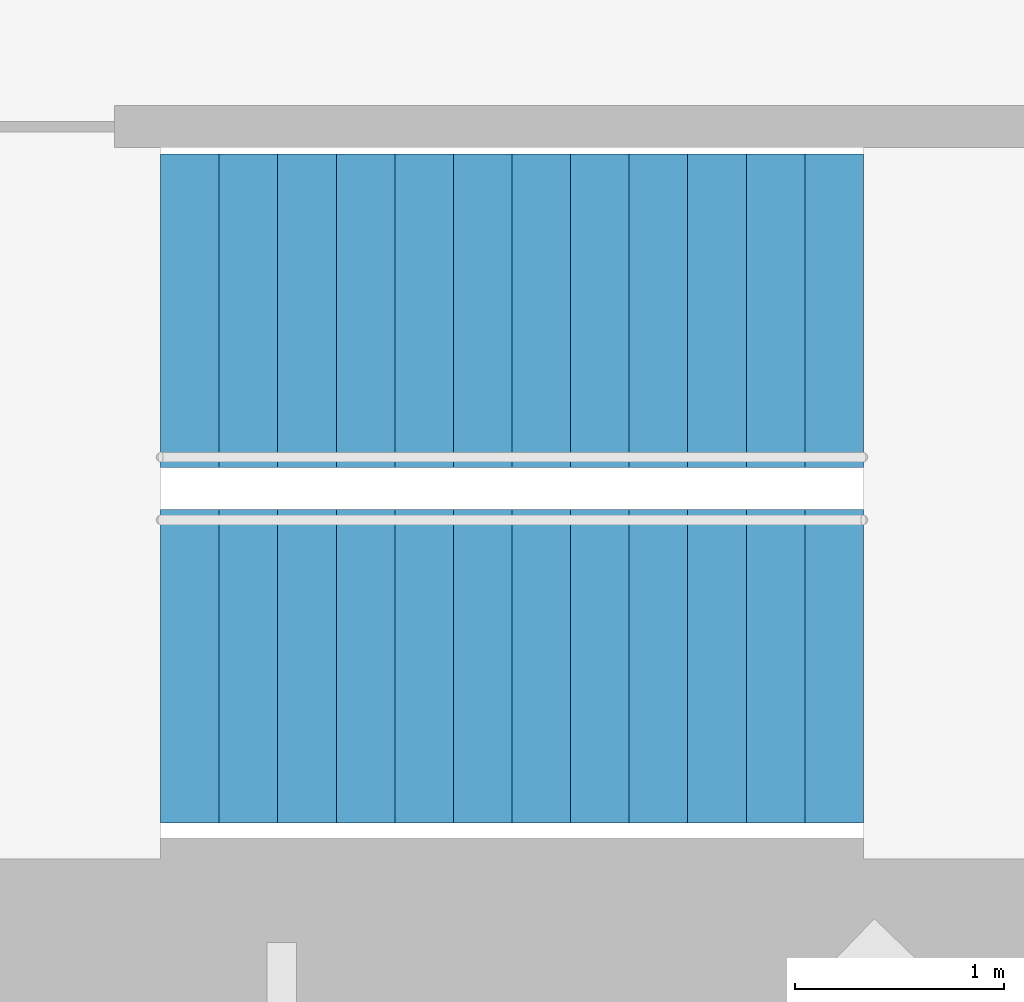
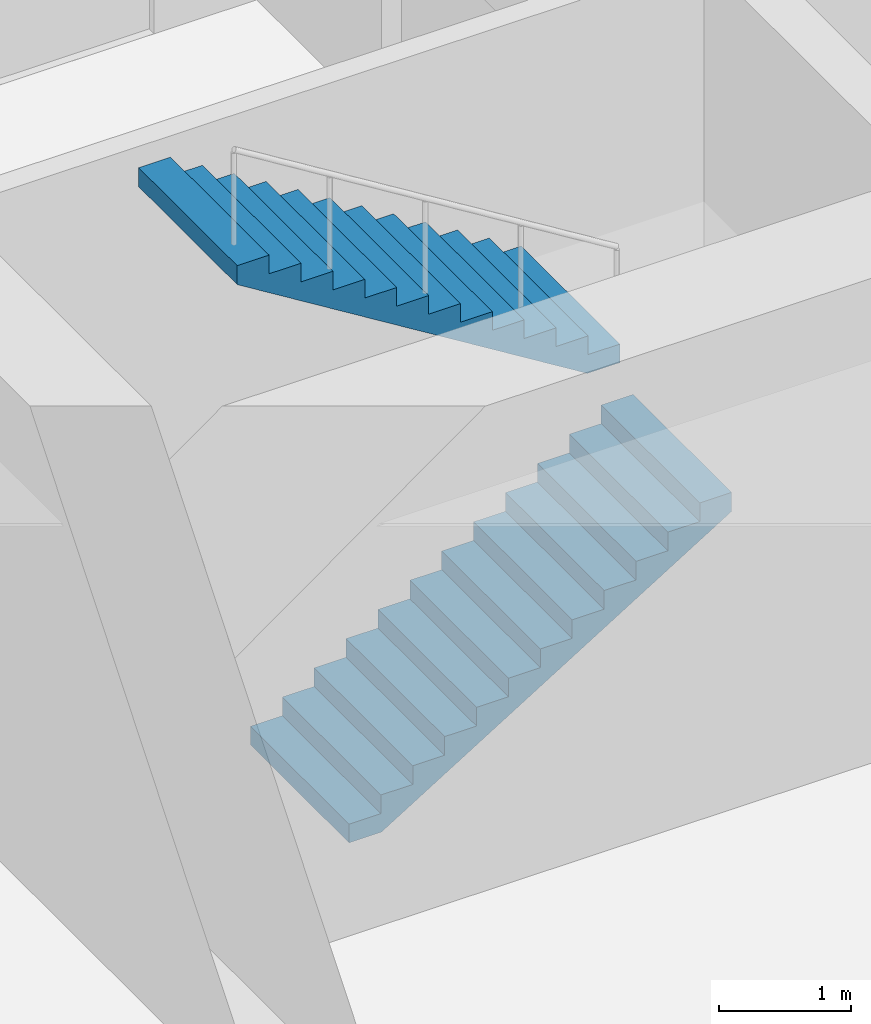
# One storey, part 13 of 15: 2 stair flights, 1 element without a shape of its own.
"""IFC4 building model written with IfcOpenShell, lengths in metres."""

import ifcopenshell
import ifcopenshell.guid

model = None  # the IFC model being written
_history = None  # IfcOwnerHistory: only IFC2X3 demands one
_inside = {}  # id of a spatial element -> (the spatial element, [elements in it])
_under = {}  # id of a project, library or spatial element -> (it, [spatial elements below it])
_declared = {}  # id of a project -> (the project, [libraries it declares])
_typed = {}  # id of a type object -> (the type object, [elements of that type])
_made_of = {}  # id of a material, layer set ... -> (it, [elements and type objects made of it])


def new_model(schema):
    """Start an empty IFC model of exactly this schema.

    Asked for "IFC4X3", IfcOpenShell would pick the latest addendum, in which some entities
    have other attributes; the version numbers below select the first issue.
    IFC2X3 requires an IfcOwnerHistory on every rooted entity: one is made here for all.
    """
    global model, _history
    if schema == "IFC4X3":
        model = ifcopenshell.file(schema_version=(4, 3, 0, 0))
    else:
        model = ifcopenshell.file(schema=schema)
    _inside.clear()
    _under.clear()
    _declared.clear()
    _typed.clear()
    _made_of.clear()
    _history = None
    if model.schema == "IFC2X3":
        org = make("IfcOrganization", Name="unknown")
        user = make(
            "IfcPersonAndOrganization",
            ThePerson=make("IfcPerson", FamilyName="unknown"),
            TheOrganization=org,
        )
        app = make(
            "IfcApplication",
            ApplicationDeveloper=org,
            Version="unknown",
            ApplicationFullName="unknown",
            ApplicationIdentifier="unknown",
        )
        _history = make(
            "IfcOwnerHistory",
            OwningUser=user,
            OwningApplication=app,
            ChangeAction="ADDED",
            CreationDate=0,
        )
    return model


def make(cls, **values):
    """One entity of the class cls with the attributes given. An attribute that is None is left unset."""
    return model.create_entity(
        cls, **{name: value for name, value in values.items() if value is not None}
    )


def rooted(cls, **values):
    """An entity with a GlobalId (a new one), such as an element, a storey or a relation."""
    return make(cls, GlobalId=ifcopenshell.guid.new(), OwnerHistory=_history, **values)


def si_unit(unit_type, name, prefix=None):
    """IfcSIUnit, for example si_unit("LENGTHUNIT", "METRE", prefix="MILLI")."""
    return make("IfcSIUnit", UnitType=unit_type, Prefix=prefix, Name=name)


def assignment(units):
    """IfcUnitAssignment: the units of a project."""
    return None if units is None else make("IfcUnitAssignment", Units=units)


def point(xyz):
    """IfcCartesianPoint."""
    return None if xyz is None else make("IfcCartesianPoint", Coordinates=xyz)


def direction(xyz):
    """IfcDirection."""
    return None if xyz is None else make("IfcDirection", DirectionRatios=xyz)


def frame(location, z_axis=None, x_axis=None):
    """IfcAxis2Placement3D, a coordinate frame: its origin and axes. An axis left out is left unset."""
    return make(
        "IfcAxis2Placement3D",
        Location=point(location),
        Axis=direction(z_axis),
        RefDirection=direction(x_axis),
    )


def origin():
    """The frame at (0, 0, 0) with its axes left unset."""
    return frame((0.0, 0.0, 0.0))


def place(relative_to, where):
    """IfcLocalPlacement: puts the frame where relative to a parent placement (None: the world)."""
    return make(
        "IfcLocalPlacement", PlacementRelTo=relative_to, RelativePlacement=where
    )


def context(
    kind, dimensions, precision=None, world=None, true_north=None, identifier=None
):
    """IfcGeometricRepresentationContext, for example the 3D "Model" context."""
    return make(
        "IfcGeometricRepresentationContext",
        ContextIdentifier=identifier,
        ContextType=kind,
        CoordinateSpaceDimension=dimensions,
        Precision=precision,
        WorldCoordinateSystem=world,
        TrueNorth=true_north,
    )


def subcontext(parent, identifier, kind, view, scale=None):
    """IfcGeometricRepresentationSubContext, for example "Body" below "Model"."""
    return make(
        "IfcGeometricRepresentationSubContext",
        ContextIdentifier=identifier,
        ContextType=kind,
        ParentContext=parent,
        TargetScale=scale,
        TargetView=view,
    )


def project(units=None, contexts=None):
    """IfcProject with its units and contexts."""
    return rooted(
        "IfcProject",
        Name="project",
        RepresentationContexts=contexts,
        UnitsInContext=assignment(units),
    )


def spatial(cls, under=None, at=None, **own):
    """A site, building, storey or space (cls), placed at a placement, below another one or the project."""
    s = rooted(cls, ObjectPlacement=at, **own)
    if under is not None:
        _under.setdefault(under.id(), (under, []))[1].append(s)
    return s


def point_list(points):
    """IfcCartesianPointList2D or 3D."""
    cls = (
        "IfcCartesianPointList2D" if len(points[0]) == 2 else "IfcCartesianPointList3D"
    )
    return make(cls, CoordList=points)


def triangles(points, corners, closed=None, point_numbers=None):
    """IfcTriangulatedFaceSet: each triangle names its three corners, points numbered from 1."""
    return make(
        "IfcTriangulatedFaceSet",
        Coordinates=point_list(points),
        Closed=closed,
        CoordIndex=corners,
        PnIndex=point_numbers,
    )


def shape(context_of_items, identifier, shape_type, items):
    """IfcShapeRepresentation: the items that make up one representation, for example the "Body"."""
    return make(
        "IfcShapeRepresentation",
        ContextOfItems=context_of_items,
        RepresentationIdentifier=identifier,
        RepresentationType=shape_type,
        Items=items,
    )


def material(Name=None, Category=None):
    """IfcMaterial."""
    return make("IfcMaterial", Name=Name, Category=Category)


def made_of(thing, what):
    """Note that an element or type object is made of a material, layer set ...; save() writes the relation."""
    if what is not None:
        _made_of.setdefault(what.id(), (what, []))[1].append(thing)
    return thing


def type_object(cls, material=None, **own):
    """A type object (cls), such as IfcWallType, which elements share."""
    return made_of(rooted(cls, **own), material)


def element(
    cls,
    number,
    at=None,
    inside=None,
    cuts=None,
    type_object=None,
    material=None,
    context=None,
    identifier="Body",
    shape_type=None,
    held_by="IfcProductDefinitionShape",
    body=None,
    shapes=None,
    **own,
):
    """One element of the class cls, such as IfcWall. Its Tag is "e" and its number.

    at: its placement. inside: the storey or other place that contains it. cuts: it is an
    opening in that element (IfcRelVoidsElement). A single representation is given by context,
    identifier, shape_type and body (its items); several are given by shapes. held_by: the class
    of the entity that holds the representations. save() writes the other relations.
    """
    e = rooted(cls, Tag="e%d" % number, ObjectPlacement=at, **own)
    if body is not None:
        shapes = [shape(context, identifier, shape_type, body)]
    if shapes is not None:
        e.Representation = make(held_by, Representations=shapes)
    if inside is not None:
        _inside.setdefault(inside.id(), (inside, []))[1].append(e)
    if cuts is not None:
        rooted(
            "IfcRelVoidsElement", RelatingBuildingElement=cuts, RelatedOpeningElement=e
        )
    if type_object is not None:
        _typed.setdefault(type_object.id(), (type_object, []))[1].append(e)
    return made_of(e, material)


def aggregate(whole, parts):
    """IfcRelAggregates: a whole, such as a stair, and the parts it consists of."""
    return rooted("IfcRelAggregates", RelatingObject=whole, RelatedObjects=parts)


def save(model, path):
    """Write the relations noted so far, then the file.

    IfcRelAggregates (storeys below a building ...), IfcRelContainedInSpatialStructure (elements
    in a storey), IfcRelDefinesByType, IfcRelAssociatesMaterial and IfcRelDeclares: one each for
    every whole, place, type object, material and project.
    """
    for whole, parts in _under.values():
        aggregate(whole, parts)
    for where, things in _inside.values():
        rooted(
            "IfcRelContainedInSpatialStructure",
            RelatedElements=things,
            RelatingStructure=where,
        )
    for kind, things in _typed.values():
        rooted("IfcRelDefinesByType", RelatedObjects=things, RelatingType=kind)
    for what, things in _made_of.values():
        rooted("IfcRelAssociatesMaterial", RelatedObjects=things, RelatingMaterial=what)
    for by, libraries in _declared.values():
        rooted("IfcRelDeclares", RelatingContext=by, RelatedDefinitions=libraries)
    model.write(path)


model = new_model("IFC4")

# Units and contexts
model_context = context("Model", 3, precision=1e-05, world=origin(), true_north=direction((0.0, 1.0)))
body_context = subcontext(model_context, "Body", "Model", "MODEL_VIEW")
ifc_project = project(units=[si_unit("LENGTHUNIT", "METRE"), si_unit("AREAUNIT", "SQUARE_METRE"), si_unit("VOLUMEUNIT", "CUBIC_METRE"), si_unit("PLANEANGLEUNIT", "RADIAN"), si_unit("MASSUNIT", "GRAM", prefix="KILO")], contexts=[model_context])

# Site, building, storey
site_placement = place(None, origin())
site = spatial("IfcSite", under=ifc_project, at=site_placement, CompositionType="ELEMENT")
building_placement = place(site_placement, origin())
building = spatial("IfcBuilding", under=site, at=building_placement, Name="Lantaw Convention Tower", CompositionType="ELEMENT")
storey_placement = place(building_placement, frame((0.0, 0.0, 274.89990234375)))
storey = spatial("IfcBuildingStorey", under=building, at=storey_placement, Name="L64", CompositionType="ELEMENT", Elevation=274.89990234375)

# Stair, stair flights
ifc_material = material(Name="Concrete C35/45", Category="concrete")
stair_type = type_object("IfcStairType", Name="Exit stair 1500 riser 173.08 in 2 flights", PredefinedType="HALF_TURN_STAIR", material=ifc_material)
stair_placement = place(storey_placement, origin())
stair = element("IfcStair", 1, at=stair_placement, inside=storey, type_object=stair_type, Name="Exit stair S1 L64", PredefinedType="HALF_TURN_STAIR")
stair_flight_type = type_object("IfcStairFlightType", Name="Stair flight 1500 riser 173.08", PredefinedType="STRAIGHT", material=ifc_material)
stair_flight_1_placement = place(storey_placement, frame((-10.580078125, -5.97998046875, 0.0), z_axis=(0.0, 0.0, 1.0), x_axis=(1.0, 0.0, 0.0)))
stair_flight_1 = element("IfcStairFlight", 2, at=stair_flight_1_placement, type_object=stair_flight_type, Name="S1 flight 1", NumberOfRisers=13, NumberOfTreads=12, PredefinedType="STRAIGHT", RiserHeight=0.173076923, TreadLength=0.28, context=body_context, shape_type="Tessellation", body=[
    triangles([(0.0, 0.75, 0.0), (0.0, 0.75, 0.173076923), (0.28, 0.75, 0.0), (0.28, 0.75, 0.173076923), (0.28, 0.75, 0.346153846), (0.28509853184261624, 0.75, 0.0), (0.28509853184261624, 0.75, 0.346153846), (0.56, 0.75, 0.16992535798879452), (0.56, 0.75, 0.346153846), (0.56, 0.75, 0.519230769), (0.8400000000000001, 0.75, 0.34300228098879454), (0.8400000000000001, 0.75, 0.519230769), (0.8400000000000001, 0.75, 0.692307692), (1.12, 0.75, 0.5160792039887945), (1.12, 0.75, 0.692307692), (1.12, 0.75, 0.865384615), (1.4000000000000001, 0.75, 0.6891561269887945), (1.4000000000000001, 0.75, 0.865384615), (1.4000000000000001, 0.75, 1.038461538), (1.6800000000000002, 0.75, 0.8622330499887946), (1.6800000000000002, 0.75, 1.038461538), (1.6800000000000002, 0.75, 1.211538461), (1.9600000000000002, 0.75, 1.0353099729887945), (1.9600000000000002, 0.75, 1.211538461), (1.9600000000000002, 0.75, 1.384615384), (2.24, 0.75, 1.2083868959887945), (2.24, 0.75, 1.384615384), (2.24, 0.75, 1.557692307), (2.5200000000000005, 0.75, 1.3814638189887947), (2.5200000000000005, 0.75, 1.557692307), (2.5200000000000005, 0.75, 1.73076923), (2.8000000000000003, 0.75, 1.5545407419887944), (2.8000000000000003, 0.75, 1.73076923), (2.8000000000000003, 0.75, 1.903846153), (3.08, 0.75, 1.7276176649887944), (3.08, 0.75, 1.903846153), (3.08, 0.75, 2.076923076), (3.3600000000000003, 0.75, 1.9006945879887944), (3.3600000000000003, 0.75, 2.076923076), (0.0, -0.75, 0.0), (0.0, -0.75, 0.173076923), (0.28, -0.75, 0.0), (0.28, -0.75, 0.173076923), (0.28, -0.75, 0.346153846), (0.28509853184261624, -0.75, 0.0), (0.28509853184261624, -0.75, 0.346153846), (0.56, -0.75, 0.16992535798879452), (0.56, -0.75, 0.346153846), (0.56, -0.75, 0.519230769), (0.8400000000000001, -0.75, 0.34300228098879454), (0.8400000000000001, -0.75, 0.519230769), (0.8400000000000001, -0.75, 0.692307692), (1.12, -0.75, 0.5160792039887945), (1.12, -0.75, 0.692307692), (1.12, -0.75, 0.865384615), (1.4000000000000001, -0.75, 0.6891561269887945), (1.4000000000000001, -0.75, 0.865384615), (1.4000000000000001, -0.75, 1.038461538), (1.6800000000000002, -0.75, 0.8622330499887946), (1.6800000000000002, -0.75, 1.038461538), (1.6800000000000002, -0.75, 1.211538461), (1.9600000000000002, -0.75, 1.0353099729887945), (1.9600000000000002, -0.75, 1.211538461), (1.9600000000000002, -0.75, 1.384615384), (2.24, -0.75, 1.2083868959887945), (2.24, -0.75, 1.384615384), (2.24, -0.75, 1.557692307), (2.5200000000000005, -0.75, 1.3814638189887947), (2.5200000000000005, -0.75, 1.557692307), (2.5200000000000005, -0.75, 1.73076923), (2.8000000000000003, -0.75, 1.5545407419887944), (2.8000000000000003, -0.75, 1.73076923), (2.8000000000000003, -0.75, 1.903846153), (3.08, -0.75, 1.7276176649887944), (3.08, -0.75, 1.903846153), (3.08, -0.75, 2.076923076), (3.3600000000000003, -0.75, 1.9006945879887944), (3.3600000000000003, -0.75, 2.076923076), (0.0, 0.15000000000000002, 0.173076923), (0.0, 0.15000000000000002, 0.0), (0.0, 0.0, 0.173076923), (0.0, 0.0, 0.0), (0.0, -0.15000000000000002, 0.173076923), (0.0, -0.15000000000000002, 0.0), (0.28, 0.15000000000000002, 0.346153846), (0.28, 0.15000000000000002, 0.173076923), (0.28, 0.0, 0.346153846), (0.28, 0.0, 0.173076923), (0.28, -0.15000000000000002, 0.346153846), (0.28, -0.15000000000000002, 0.173076923), (0.56, 0.15000000000000002, 0.519230769), (0.56, 0.15000000000000002, 0.346153846), (0.56, 0.0, 0.519230769), (0.56, 0.0, 0.346153846), (0.56, -0.15000000000000002, 0.519230769), (0.56, -0.15000000000000002, 0.346153846), (0.8400000000000001, 0.15000000000000002, 0.692307692), (0.8400000000000001, 0.15000000000000002, 0.519230769), (0.8400000000000001, 0.0, 0.692307692), (0.8400000000000001, 0.0, 0.519230769), (0.8400000000000001, -0.15000000000000002, 0.692307692), (0.8400000000000001, -0.15000000000000002, 0.519230769), (1.12, 0.15000000000000002, 0.865384615), (1.12, 0.15000000000000002, 0.692307692), (1.12, 0.0, 0.865384615), (1.12, 0.0, 0.692307692), (1.12, -0.15000000000000002, 0.865384615), (1.12, -0.15000000000000002, 0.692307692), (1.4000000000000001, 0.15000000000000002, 1.038461538), (1.4000000000000001, 0.15000000000000002, 0.865384615), (1.4000000000000001, 0.0, 1.038461538), (1.4000000000000001, 0.0, 0.865384615), (1.4000000000000001, -0.15000000000000002, 1.038461538), (1.4000000000000001, -0.15000000000000002, 0.865384615), (1.6800000000000002, 0.15000000000000002, 1.211538461), (1.6800000000000002, 0.15000000000000002, 1.038461538), (1.6800000000000002, 0.0, 1.211538461), (1.6800000000000002, 0.0, 1.038461538), (1.6800000000000002, -0.15000000000000002, 1.211538461), (1.6800000000000002, -0.15000000000000002, 1.038461538), (1.9600000000000002, 0.15000000000000002, 1.384615384), (1.9600000000000002, 0.15000000000000002, 1.211538461), (1.9600000000000002, 0.0, 1.384615384), (1.9600000000000002, 0.0, 1.211538461), (1.9600000000000002, -0.15000000000000002, 1.384615384), (1.9600000000000002, -0.15000000000000002, 1.211538461), (2.24, 0.15000000000000002, 1.557692307), (2.24, 0.15000000000000002, 1.384615384), (2.24, 0.0, 1.557692307), (2.24, 0.0, 1.384615384), (2.24, -0.15000000000000002, 1.557692307), (2.24, -0.15000000000000002, 1.384615384), (2.5200000000000005, 0.15000000000000002, 1.73076923), (2.5200000000000005, 0.15000000000000002, 1.557692307), (2.5200000000000005, 0.0, 1.73076923), (2.5200000000000005, 0.0, 1.557692307), (2.5200000000000005, -0.15000000000000002, 1.73076923), (2.5200000000000005, -0.15000000000000002, 1.557692307), (2.8000000000000003, 0.15000000000000002, 1.903846153), (2.8000000000000003, 0.15000000000000002, 1.73076923), (2.8000000000000003, 0.0, 1.903846153), (2.8000000000000003, 0.0, 1.73076923), (2.8000000000000003, -0.15000000000000002, 1.903846153), (2.8000000000000003, -0.15000000000000002, 1.73076923), (3.08, 0.15000000000000002, 2.076923076), (3.08, 0.15000000000000002, 1.903846153), (3.08, 0.0, 2.076923076), (3.08, 0.0, 1.903846153), (3.08, -0.15000000000000002, 2.076923076), (3.08, -0.15000000000000002, 1.903846153), (0.28509853184261624, 0.15000000000000002, 0.346153846), (0.28509853184261624, 0.0, 0.346153846), (0.28509853184261624, -0.15000000000000002, 0.346153846), (3.3600000000000003, 0.15000000000000002, 2.076923076), (3.3600000000000003, 0.0, 2.076923076), (3.3600000000000003, -0.15000000000000002, 2.076923076), (3.3600000000000003, 0.15000000000000002, 1.9006945879887942), (3.3600000000000003, 0.0, 1.9006945879887942), (3.3600000000000003, -0.15000000000000002, 1.9006945879887942), (3.08, 0.15000000000000002, 1.7276176649887944), (3.08, 0.0, 1.7276176649887944), (3.08, -0.15000000000000002, 1.7276176649887944), (2.8000000000000003, 0.15000000000000002, 1.5545407419887944), (2.8000000000000003, 0.0, 1.5545407419887944), (2.8000000000000003, -0.15000000000000002, 1.5545407419887944), (2.5200000000000005, 0.15000000000000002, 1.3814638189887947), (2.5200000000000005, 0.0, 1.3814638189887947), (2.5200000000000005, -0.15000000000000002, 1.3814638189887947), (2.24, 0.15000000000000002, 1.2083868959887945), (2.24, 0.0, 1.2083868959887945), (2.24, -0.15000000000000002, 1.2083868959887945), (1.9600000000000002, 0.15000000000000002, 1.0353099729887945), (1.9600000000000002, 0.0, 1.0353099729887945), (1.9600000000000002, -0.15000000000000002, 1.0353099729887945), (1.6800000000000002, 0.15000000000000002, 0.8622330499887946), (1.6800000000000002, 0.0, 0.8622330499887946), (1.6800000000000002, -0.15000000000000002, 0.8622330499887946), (1.4000000000000001, 0.15000000000000002, 0.6891561269887945), (1.4000000000000001, 0.0, 0.6891561269887945), (1.4000000000000001, -0.15000000000000002, 0.6891561269887945), (1.12, 0.15000000000000002, 0.5160792039887945), (1.12, 0.0, 0.5160792039887945), (1.12, -0.15000000000000002, 0.5160792039887945), (0.8400000000000001, 0.15000000000000002, 0.34300228098879454), (0.8400000000000001, 0.0, 0.34300228098879454), (0.8400000000000001, -0.15000000000000002, 0.34300228098879454), (0.56, 0.15000000000000002, 0.16992535798879452), (0.56, 0.0, 0.16992535798879452), (0.56, -0.15000000000000002, 0.16992535798879452), (0.28509853184261624, 0.15000000000000002, 0.0), (0.28509853184261624, 0.0, 0.0), (0.28509853184261624, -0.15000000000000002, 0.0), (0.28, 0.15000000000000002, 0.0), (0.28, 0.0, 0.0), (0.28, -0.15000000000000002, 0.0)], [[1, 4, 3], [1, 2, 4], [3, 4, 6], [4, 7, 6], [4, 5, 7], [6, 9, 8], [6, 7, 9], [8, 9, 11], [9, 12, 11], [9, 10, 12], [11, 12, 14], [12, 15, 14], [12, 13, 15], [14, 15, 17], [15, 18, 17], [15, 16, 18], [17, 18, 20], [18, 21, 20], [18, 19, 21], [20, 21, 23], [21, 24, 23], [21, 22, 24], [23, 24, 26], [24, 27, 26], [24, 25, 27], [26, 27, 29], [27, 30, 29], [27, 28, 30], [29, 30, 32], [30, 33, 32], [30, 31, 33], [32, 33, 35], [33, 36, 35], [33, 34, 36], [35, 36, 38], [36, 39, 38], [36, 37, 39], [40, 42, 43], [40, 43, 41], [42, 45, 43], [43, 45, 46], [43, 46, 44], [45, 47, 48], [45, 48, 46], [47, 50, 48], [48, 50, 51], [48, 51, 49], [50, 53, 51], [51, 53, 54], [51, 54, 52], [53, 56, 54], [54, 56, 57], [54, 57, 55], [56, 59, 57], [57, 59, 60], [57, 60, 58], [59, 62, 60], [60, 62, 63], [60, 63, 61], [62, 65, 63], [63, 65, 66], [63, 66, 64], [65, 68, 66], [66, 68, 69], [66, 69, 67], [68, 71, 69], [69, 71, 72], [69, 72, 70], [71, 74, 72], [72, 74, 75], [72, 75, 73], [74, 77, 75], [75, 77, 78], [75, 78, 76], [1, 79, 2], [1, 80, 79], [80, 81, 79], [80, 82, 81], [82, 83, 81], [82, 84, 83], [84, 41, 83], [84, 40, 41], [4, 85, 5], [4, 86, 85], [86, 87, 85], [86, 88, 87], [88, 89, 87], [88, 90, 89], [90, 44, 89], [90, 43, 44], [9, 91, 10], [9, 92, 91], [92, 93, 91], [92, 94, 93], [94, 95, 93], [94, 96, 95], [96, 49, 95], [96, 48, 49], [12, 97, 13], [12, 98, 97], [98, 99, 97], [98, 100, 99], [100, 101, 99], [100, 102, 101], [102, 52, 101], [102, 51, 52], [15, 103, 16], [15, 104, 103], [104, 105, 103], [104, 106, 105], [106, 107, 105], [106, 108, 107], [108, 55, 107], [108, 54, 55], [18, 109, 19], [18, 110, 109], [110, 111, 109], [110, 112, 111], [112, 113, 111], [112, 114, 113], [114, 58, 113], [114, 57, 58], [21, 115, 22], [21, 116, 115], [116, 117, 115], [116, 118, 117], [118, 119, 117], [118, 120, 119], [120, 61, 119], [120, 60, 61], [24, 121, 25], [24, 122, 121], [122, 123, 121], [122, 124, 123], [124, 125, 123], [124, 126, 125], [126, 64, 125], [126, 63, 64], [27, 127, 28], [27, 128, 127], [128, 129, 127], [128, 130, 129], [130, 131, 129], [130, 132, 131], [132, 67, 131], [132, 66, 67], [30, 133, 31], [30, 134, 133], [134, 135, 133], [134, 136, 135], [136, 137, 135], [136, 138, 137], [138, 70, 137], [138, 69, 70], [33, 139, 34], [33, 140, 139], [140, 141, 139], [140, 142, 141], [142, 143, 141], [142, 144, 143], [144, 73, 143], [144, 72, 73], [36, 145, 37], [36, 146, 145], [146, 147, 145], [146, 148, 147], [148, 149, 147], [148, 150, 149], [150, 76, 149], [150, 75, 76], [2, 86, 4], [2, 79, 86], [79, 88, 86], [79, 81, 88], [81, 90, 88], [81, 83, 90], [83, 43, 90], [83, 41, 43], [5, 151, 7], [5, 85, 151], [85, 152, 151], [85, 87, 152], [87, 153, 152], [87, 89, 153], [89, 46, 153], [89, 44, 46], [7, 92, 9], [7, 151, 92], [151, 94, 92], [151, 152, 94], [152, 96, 94], [152, 153, 96], [153, 48, 96], [153, 46, 48], [10, 98, 12], [10, 91, 98], [91, 100, 98], [91, 93, 100], [93, 102, 100], [93, 95, 102], [95, 51, 102], [95, 49, 51], [13, 104, 15], [13, 97, 104], [97, 106, 104], [97, 99, 106], [99, 108, 106], [99, 101, 108], [101, 54, 108], [101, 52, 54], [16, 110, 18], [16, 103, 110], [103, 112, 110], [103, 105, 112], [105, 114, 112], [105, 107, 114], [107, 57, 114], [107, 55, 57], [19, 116, 21], [19, 109, 116], [109, 118, 116], [109, 111, 118], [111, 120, 118], [111, 113, 120], [113, 60, 120], [113, 58, 60], [22, 122, 24], [22, 115, 122], [115, 124, 122], [115, 117, 124], [117, 126, 124], [117, 119, 126], [119, 63, 126], [119, 61, 63], [25, 128, 27], [25, 121, 128], [121, 130, 128], [121, 123, 130], [123, 132, 130], [123, 125, 132], [125, 66, 132], [125, 64, 66], [28, 134, 30], [28, 127, 134], [127, 136, 134], [127, 129, 136], [129, 138, 136], [129, 131, 138], [131, 69, 138], [131, 67, 69], [31, 140, 33], [31, 133, 140], [133, 142, 140], [133, 135, 142], [135, 144, 142], [135, 137, 144], [137, 72, 144], [137, 70, 72], [34, 146, 36], [34, 139, 146], [139, 148, 146], [139, 141, 148], [141, 150, 148], [141, 143, 150], [143, 75, 150], [143, 73, 75], [37, 154, 39], [37, 145, 154], [145, 155, 154], [145, 147, 155], [147, 156, 155], [147, 149, 156], [149, 78, 156], [149, 76, 78], [39, 157, 38], [39, 154, 157], [154, 158, 157], [154, 155, 158], [155, 159, 158], [155, 156, 159], [156, 77, 159], [156, 78, 77], [38, 160, 35], [38, 157, 160], [157, 161, 160], [157, 158, 161], [158, 162, 161], [158, 159, 162], [159, 74, 162], [159, 77, 74], [35, 163, 32], [35, 160, 163], [160, 164, 163], [160, 161, 164], [161, 165, 164], [161, 162, 165], [162, 71, 165], [162, 74, 71], [32, 166, 29], [32, 163, 166], [163, 167, 166], [163, 164, 167], [164, 168, 167], [164, 165, 168], [165, 68, 168], [165, 71, 68], [29, 169, 26], [29, 166, 169], [166, 170, 169], [166, 167, 170], [167, 171, 170], [167, 168, 171], [168, 65, 171], [168, 68, 65], [26, 172, 23], [26, 169, 172], [169, 173, 172], [169, 170, 173], [170, 174, 173], [170, 171, 174], [171, 62, 174], [171, 65, 62], [23, 175, 20], [23, 172, 175], [172, 176, 175], [172, 173, 176], [173, 177, 176], [173, 174, 177], [174, 59, 177], [174, 62, 59], [20, 178, 17], [20, 175, 178], [175, 179, 178], [175, 176, 179], [176, 180, 179], [176, 177, 180], [177, 56, 180], [177, 59, 56], [17, 181, 14], [17, 178, 181], [178, 182, 181], [178, 179, 182], [179, 183, 182], [179, 180, 183], [180, 53, 183], [180, 56, 53], [14, 184, 11], [14, 181, 184], [181, 185, 184], [181, 182, 185], [182, 186, 185], [182, 183, 186], [183, 50, 186], [183, 53, 50], [11, 187, 8], [11, 184, 187], [184, 188, 187], [184, 185, 188], [185, 189, 188], [185, 186, 189], [186, 47, 189], [186, 50, 47], [8, 190, 6], [8, 187, 190], [187, 191, 190], [187, 188, 191], [188, 192, 191], [188, 189, 192], [189, 45, 192], [189, 47, 45], [6, 193, 3], [6, 190, 193], [190, 194, 193], [190, 191, 194], [191, 195, 194], [191, 192, 195], [192, 42, 195], [192, 45, 42], [3, 80, 1], [3, 193, 80], [193, 82, 80], [193, 194, 82], [194, 84, 82], [194, 195, 84], [195, 40, 84], [195, 42, 40]], closed=True),
])
stair_flight_2_placement = place(storey_placement, frame((-7.219970703125, -4.280029296875, 2.25), z_axis=(0.0, 0.0, 1.0), x_axis=(-1.0, 0.0, 0.0)))
stair_flight_2 = element("IfcStairFlight", 3, at=stair_flight_2_placement, type_object=stair_flight_type, Name="S1 flight 2", NumberOfRisers=13, NumberOfTreads=12, PredefinedType="STRAIGHT", RiserHeight=0.173076923, TreadLength=0.28, context=body_context, shape_type="Tessellation", body=[
    triangles([(0.0, 0.75, 0.0), (0.0, 0.75, 0.173076923), (0.28, 0.75, 0.0), (0.28, 0.75, 0.173076923), (0.28, 0.75, 0.346153846), (0.28509853184261624, 0.75, 0.0), (0.28509853184261624, 0.75, 0.346153846), (0.56, 0.75, 0.16992535798879452), (0.56, 0.75, 0.346153846), (0.56, 0.75, 0.519230769), (0.8400000000000001, 0.75, 0.34300228098879454), (0.8400000000000001, 0.75, 0.519230769), (0.8400000000000001, 0.75, 0.692307692), (1.12, 0.75, 0.5160792039887945), (1.12, 0.75, 0.692307692), (1.12, 0.75, 0.865384615), (1.4000000000000001, 0.75, 0.6891561269887945), (1.4000000000000001, 0.75, 0.865384615), (1.4000000000000001, 0.75, 1.038461538), (1.6800000000000002, 0.75, 0.8622330499887946), (1.6800000000000002, 0.75, 1.038461538), (1.6800000000000002, 0.75, 1.211538461), (1.9600000000000002, 0.75, 1.0353099729887945), (1.9600000000000002, 0.75, 1.211538461), (1.9600000000000002, 0.75, 1.384615384), (2.24, 0.75, 1.2083868959887945), (2.24, 0.75, 1.384615384), (2.24, 0.75, 1.557692307), (2.5200000000000005, 0.75, 1.3814638189887947), (2.5200000000000005, 0.75, 1.557692307), (2.5200000000000005, 0.75, 1.73076923), (2.8000000000000003, 0.75, 1.5545407419887944), (2.8000000000000003, 0.75, 1.73076923), (2.8000000000000003, 0.75, 1.903846153), (3.08, 0.75, 1.7276176649887944), (3.08, 0.75, 1.903846153), (3.08, 0.75, 2.076923076), (3.3600000000000003, 0.75, 1.9006945879887944), (3.3600000000000003, 0.75, 2.076923076), (0.0, -0.75, 0.0), (0.0, -0.75, 0.173076923), (0.28, -0.75, 0.0), (0.28, -0.75, 0.173076923), (0.28, -0.75, 0.346153846), (0.28509853184261624, -0.75, 0.0), (0.28509853184261624, -0.75, 0.346153846), (0.56, -0.75, 0.16992535798879452), (0.56, -0.75, 0.346153846), (0.56, -0.75, 0.519230769), (0.8400000000000001, -0.75, 0.34300228098879454), (0.8400000000000001, -0.75, 0.519230769), (0.8400000000000001, -0.75, 0.692307692), (1.12, -0.75, 0.5160792039887945), (1.12, -0.75, 0.692307692), (1.12, -0.75, 0.865384615), (1.4000000000000001, -0.75, 0.6891561269887945), (1.4000000000000001, -0.75, 0.865384615), (1.4000000000000001, -0.75, 1.038461538), (1.6800000000000002, -0.75, 0.8622330499887946), (1.6800000000000002, -0.75, 1.038461538), (1.6800000000000002, -0.75, 1.211538461), (1.9600000000000002, -0.75, 1.0353099729887945), (1.9600000000000002, -0.75, 1.211538461), (1.9600000000000002, -0.75, 1.384615384), (2.24, -0.75, 1.2083868959887945), (2.24, -0.75, 1.384615384), (2.24, -0.75, 1.557692307), (2.5200000000000005, -0.75, 1.3814638189887947), (2.5200000000000005, -0.75, 1.557692307), (2.5200000000000005, -0.75, 1.73076923), (2.8000000000000003, -0.75, 1.5545407419887944), (2.8000000000000003, -0.75, 1.73076923), (2.8000000000000003, -0.75, 1.903846153), (3.08, -0.75, 1.7276176649887944), (3.08, -0.75, 1.903846153), (3.08, -0.75, 2.076923076), (3.3600000000000003, -0.75, 1.9006945879887944), (3.3600000000000003, -0.75, 2.076923076), (0.0, 0.15000000000000002, 0.173076923), (0.0, 0.15000000000000002, 0.0), (0.0, 0.0, 0.173076923), (0.0, 0.0, 0.0), (0.0, -0.15000000000000002, 0.173076923), (0.0, -0.15000000000000002, 0.0), (0.28, 0.15000000000000002, 0.346153846), (0.28, 0.15000000000000002, 0.173076923), (0.28, 0.0, 0.346153846), (0.28, 0.0, 0.173076923), (0.28, -0.15000000000000002, 0.346153846), (0.28, -0.15000000000000002, 0.173076923), (0.56, 0.15000000000000002, 0.519230769), (0.56, 0.15000000000000002, 0.346153846), (0.56, 0.0, 0.519230769), (0.56, 0.0, 0.346153846), (0.56, -0.15000000000000002, 0.519230769), (0.56, -0.15000000000000002, 0.346153846), (0.8400000000000001, 0.15000000000000002, 0.692307692), (0.8400000000000001, 0.15000000000000002, 0.519230769), (0.8400000000000001, 0.0, 0.692307692), (0.8400000000000001, 0.0, 0.519230769), (0.8400000000000001, -0.15000000000000002, 0.692307692), (0.8400000000000001, -0.15000000000000002, 0.519230769), (1.12, 0.15000000000000002, 0.865384615), (1.12, 0.15000000000000002, 0.692307692), (1.12, 0.0, 0.865384615), (1.12, 0.0, 0.692307692), (1.12, -0.15000000000000002, 0.865384615), (1.12, -0.15000000000000002, 0.692307692), (1.4000000000000001, 0.15000000000000002, 1.038461538), (1.4000000000000001, 0.15000000000000002, 0.865384615), (1.4000000000000001, 0.0, 1.038461538), (1.4000000000000001, 0.0, 0.865384615), (1.4000000000000001, -0.15000000000000002, 1.038461538), (1.4000000000000001, -0.15000000000000002, 0.865384615), (1.6800000000000002, 0.15000000000000002, 1.211538461), (1.6800000000000002, 0.15000000000000002, 1.038461538), (1.6800000000000002, 0.0, 1.211538461), (1.6800000000000002, 0.0, 1.038461538), (1.6800000000000002, -0.15000000000000002, 1.211538461), (1.6800000000000002, -0.15000000000000002, 1.038461538), (1.9600000000000002, 0.15000000000000002, 1.384615384), (1.9600000000000002, 0.15000000000000002, 1.211538461), (1.9600000000000002, 0.0, 1.384615384), (1.9600000000000002, 0.0, 1.211538461), (1.9600000000000002, -0.15000000000000002, 1.384615384), (1.9600000000000002, -0.15000000000000002, 1.211538461), (2.24, 0.15000000000000002, 1.557692307), (2.24, 0.15000000000000002, 1.384615384), (2.24, 0.0, 1.557692307), (2.24, 0.0, 1.384615384), (2.24, -0.15000000000000002, 1.557692307), (2.24, -0.15000000000000002, 1.384615384), (2.5200000000000005, 0.15000000000000002, 1.73076923), (2.5200000000000005, 0.15000000000000002, 1.557692307), (2.5200000000000005, 0.0, 1.73076923), (2.5200000000000005, 0.0, 1.557692307), (2.5200000000000005, -0.15000000000000002, 1.73076923), (2.5200000000000005, -0.15000000000000002, 1.557692307), (2.8000000000000003, 0.15000000000000002, 1.903846153), (2.8000000000000003, 0.15000000000000002, 1.73076923), (2.8000000000000003, 0.0, 1.903846153), (2.8000000000000003, 0.0, 1.73076923), (2.8000000000000003, -0.15000000000000002, 1.903846153), (2.8000000000000003, -0.15000000000000002, 1.73076923), (3.08, 0.15000000000000002, 2.076923076), (3.08, 0.15000000000000002, 1.903846153), (3.08, 0.0, 2.076923076), (3.08, 0.0, 1.903846153), (3.08, -0.15000000000000002, 2.076923076), (3.08, -0.15000000000000002, 1.903846153), (0.28509853184261624, 0.15000000000000002, 0.346153846), (0.28509853184261624, 0.0, 0.346153846), (0.28509853184261624, -0.15000000000000002, 0.346153846), (3.3600000000000003, 0.15000000000000002, 2.076923076), (3.3600000000000003, 0.0, 2.076923076), (3.3600000000000003, -0.15000000000000002, 2.076923076), (3.3600000000000003, 0.15000000000000002, 1.9006945879887942), (3.3600000000000003, 0.0, 1.9006945879887942), (3.3600000000000003, -0.15000000000000002, 1.9006945879887942), (3.08, 0.15000000000000002, 1.7276176649887944), (3.08, 0.0, 1.7276176649887944), (3.08, -0.15000000000000002, 1.7276176649887944), (2.8000000000000003, 0.15000000000000002, 1.5545407419887944), (2.8000000000000003, 0.0, 1.5545407419887944), (2.8000000000000003, -0.15000000000000002, 1.5545407419887944), (2.5200000000000005, 0.15000000000000002, 1.3814638189887947), (2.5200000000000005, 0.0, 1.3814638189887947), (2.5200000000000005, -0.15000000000000002, 1.3814638189887947), (2.24, 0.15000000000000002, 1.2083868959887945), (2.24, 0.0, 1.2083868959887945), (2.24, -0.15000000000000002, 1.2083868959887945), (1.9600000000000002, 0.15000000000000002, 1.0353099729887945), (1.9600000000000002, 0.0, 1.0353099729887945), (1.9600000000000002, -0.15000000000000002, 1.0353099729887945), (1.6800000000000002, 0.15000000000000002, 0.8622330499887946), (1.6800000000000002, 0.0, 0.8622330499887946), (1.6800000000000002, -0.15000000000000002, 0.8622330499887946), (1.4000000000000001, 0.15000000000000002, 0.6891561269887945), (1.4000000000000001, 0.0, 0.6891561269887945), (1.4000000000000001, -0.15000000000000002, 0.6891561269887945), (1.12, 0.15000000000000002, 0.5160792039887945), (1.12, 0.0, 0.5160792039887945), (1.12, -0.15000000000000002, 0.5160792039887945), (0.8400000000000001, 0.15000000000000002, 0.34300228098879454), (0.8400000000000001, 0.0, 0.34300228098879454), (0.8400000000000001, -0.15000000000000002, 0.34300228098879454), (0.56, 0.15000000000000002, 0.16992535798879452), (0.56, 0.0, 0.16992535798879452), (0.56, -0.15000000000000002, 0.16992535798879452), (0.28509853184261624, 0.15000000000000002, 0.0), (0.28509853184261624, 0.0, 0.0), (0.28509853184261624, -0.15000000000000002, 0.0), (0.28, 0.15000000000000002, 0.0), (0.28, 0.0, 0.0), (0.28, -0.15000000000000002, 0.0)], [[1, 4, 3], [1, 2, 4], [3, 4, 6], [4, 7, 6], [4, 5, 7], [6, 9, 8], [6, 7, 9], [8, 9, 11], [9, 12, 11], [9, 10, 12], [11, 12, 14], [12, 15, 14], [12, 13, 15], [14, 15, 17], [15, 18, 17], [15, 16, 18], [17, 18, 20], [18, 21, 20], [18, 19, 21], [20, 21, 23], [21, 24, 23], [21, 22, 24], [23, 24, 26], [24, 27, 26], [24, 25, 27], [26, 27, 29], [27, 30, 29], [27, 28, 30], [29, 30, 32], [30, 33, 32], [30, 31, 33], [32, 33, 35], [33, 36, 35], [33, 34, 36], [35, 36, 38], [36, 39, 38], [36, 37, 39], [40, 42, 43], [40, 43, 41], [42, 45, 43], [43, 45, 46], [43, 46, 44], [45, 47, 48], [45, 48, 46], [47, 50, 48], [48, 50, 51], [48, 51, 49], [50, 53, 51], [51, 53, 54], [51, 54, 52], [53, 56, 54], [54, 56, 57], [54, 57, 55], [56, 59, 57], [57, 59, 60], [57, 60, 58], [59, 62, 60], [60, 62, 63], [60, 63, 61], [62, 65, 63], [63, 65, 66], [63, 66, 64], [65, 68, 66], [66, 68, 69], [66, 69, 67], [68, 71, 69], [69, 71, 72], [69, 72, 70], [71, 74, 72], [72, 74, 75], [72, 75, 73], [74, 77, 75], [75, 77, 78], [75, 78, 76], [1, 79, 2], [1, 80, 79], [80, 81, 79], [80, 82, 81], [82, 83, 81], [82, 84, 83], [84, 41, 83], [84, 40, 41], [4, 85, 5], [4, 86, 85], [86, 87, 85], [86, 88, 87], [88, 89, 87], [88, 90, 89], [90, 44, 89], [90, 43, 44], [9, 91, 10], [9, 92, 91], [92, 93, 91], [92, 94, 93], [94, 95, 93], [94, 96, 95], [96, 49, 95], [96, 48, 49], [12, 97, 13], [12, 98, 97], [98, 99, 97], [98, 100, 99], [100, 101, 99], [100, 102, 101], [102, 52, 101], [102, 51, 52], [15, 103, 16], [15, 104, 103], [104, 105, 103], [104, 106, 105], [106, 107, 105], [106, 108, 107], [108, 55, 107], [108, 54, 55], [18, 109, 19], [18, 110, 109], [110, 111, 109], [110, 112, 111], [112, 113, 111], [112, 114, 113], [114, 58, 113], [114, 57, 58], [21, 115, 22], [21, 116, 115], [116, 117, 115], [116, 118, 117], [118, 119, 117], [118, 120, 119], [120, 61, 119], [120, 60, 61], [24, 121, 25], [24, 122, 121], [122, 123, 121], [122, 124, 123], [124, 125, 123], [124, 126, 125], [126, 64, 125], [126, 63, 64], [27, 127, 28], [27, 128, 127], [128, 129, 127], [128, 130, 129], [130, 131, 129], [130, 132, 131], [132, 67, 131], [132, 66, 67], [30, 133, 31], [30, 134, 133], [134, 135, 133], [134, 136, 135], [136, 137, 135], [136, 138, 137], [138, 70, 137], [138, 69, 70], [33, 139, 34], [33, 140, 139], [140, 141, 139], [140, 142, 141], [142, 143, 141], [142, 144, 143], [144, 73, 143], [144, 72, 73], [36, 145, 37], [36, 146, 145], [146, 147, 145], [146, 148, 147], [148, 149, 147], [148, 150, 149], [150, 76, 149], [150, 75, 76], [2, 86, 4], [2, 79, 86], [79, 88, 86], [79, 81, 88], [81, 90, 88], [81, 83, 90], [83, 43, 90], [83, 41, 43], [5, 151, 7], [5, 85, 151], [85, 152, 151], [85, 87, 152], [87, 153, 152], [87, 89, 153], [89, 46, 153], [89, 44, 46], [7, 92, 9], [7, 151, 92], [151, 94, 92], [151, 152, 94], [152, 96, 94], [152, 153, 96], [153, 48, 96], [153, 46, 48], [10, 98, 12], [10, 91, 98], [91, 100, 98], [91, 93, 100], [93, 102, 100], [93, 95, 102], [95, 51, 102], [95, 49, 51], [13, 104, 15], [13, 97, 104], [97, 106, 104], [97, 99, 106], [99, 108, 106], [99, 101, 108], [101, 54, 108], [101, 52, 54], [16, 110, 18], [16, 103, 110], [103, 112, 110], [103, 105, 112], [105, 114, 112], [105, 107, 114], [107, 57, 114], [107, 55, 57], [19, 116, 21], [19, 109, 116], [109, 118, 116], [109, 111, 118], [111, 120, 118], [111, 113, 120], [113, 60, 120], [113, 58, 60], [22, 122, 24], [22, 115, 122], [115, 124, 122], [115, 117, 124], [117, 126, 124], [117, 119, 126], [119, 63, 126], [119, 61, 63], [25, 128, 27], [25, 121, 128], [121, 130, 128], [121, 123, 130], [123, 132, 130], [123, 125, 132], [125, 66, 132], [125, 64, 66], [28, 134, 30], [28, 127, 134], [127, 136, 134], [127, 129, 136], [129, 138, 136], [129, 131, 138], [131, 69, 138], [131, 67, 69], [31, 140, 33], [31, 133, 140], [133, 142, 140], [133, 135, 142], [135, 144, 142], [135, 137, 144], [137, 72, 144], [137, 70, 72], [34, 146, 36], [34, 139, 146], [139, 148, 146], [139, 141, 148], [141, 150, 148], [141, 143, 150], [143, 75, 150], [143, 73, 75], [37, 154, 39], [37, 145, 154], [145, 155, 154], [145, 147, 155], [147, 156, 155], [147, 149, 156], [149, 78, 156], [149, 76, 78], [39, 157, 38], [39, 154, 157], [154, 158, 157], [154, 155, 158], [155, 159, 158], [155, 156, 159], [156, 77, 159], [156, 78, 77], [38, 160, 35], [38, 157, 160], [157, 161, 160], [157, 158, 161], [158, 162, 161], [158, 159, 162], [159, 74, 162], [159, 77, 74], [35, 163, 32], [35, 160, 163], [160, 164, 163], [160, 161, 164], [161, 165, 164], [161, 162, 165], [162, 71, 165], [162, 74, 71], [32, 166, 29], [32, 163, 166], [163, 167, 166], [163, 164, 167], [164, 168, 167], [164, 165, 168], [165, 68, 168], [165, 71, 68], [29, 169, 26], [29, 166, 169], [166, 170, 169], [166, 167, 170], [167, 171, 170], [167, 168, 171], [168, 65, 171], [168, 68, 65], [26, 172, 23], [26, 169, 172], [169, 173, 172], [169, 170, 173], [170, 174, 173], [170, 171, 174], [171, 62, 174], [171, 65, 62], [23, 175, 20], [23, 172, 175], [172, 176, 175], [172, 173, 176], [173, 177, 176], [173, 174, 177], [174, 59, 177], [174, 62, 59], [20, 178, 17], [20, 175, 178], [175, 179, 178], [175, 176, 179], [176, 180, 179], [176, 177, 180], [177, 56, 180], [177, 59, 56], [17, 181, 14], [17, 178, 181], [178, 182, 181], [178, 179, 182], [179, 183, 182], [179, 180, 183], [180, 53, 183], [180, 56, 53], [14, 184, 11], [14, 181, 184], [181, 185, 184], [181, 182, 185], [182, 186, 185], [182, 183, 186], [183, 50, 186], [183, 53, 50], [11, 187, 8], [11, 184, 187], [184, 188, 187], [184, 185, 188], [185, 189, 188], [185, 186, 189], [186, 47, 189], [186, 50, 47], [8, 190, 6], [8, 187, 190], [187, 191, 190], [187, 188, 191], [188, 192, 191], [188, 189, 192], [189, 45, 192], [189, 47, 45], [6, 193, 3], [6, 190, 193], [190, 194, 193], [190, 191, 194], [191, 195, 194], [191, 192, 195], [192, 42, 195], [192, 45, 42], [3, 80, 1], [3, 193, 80], [193, 82, 80], [193, 194, 82], [194, 84, 82], [194, 195, 84], [195, 40, 84], [195, 42, 40]], closed=True),
])
aggregate(stair, [stair_flight_1, stair_flight_2])

save(model, "model.ifc")
